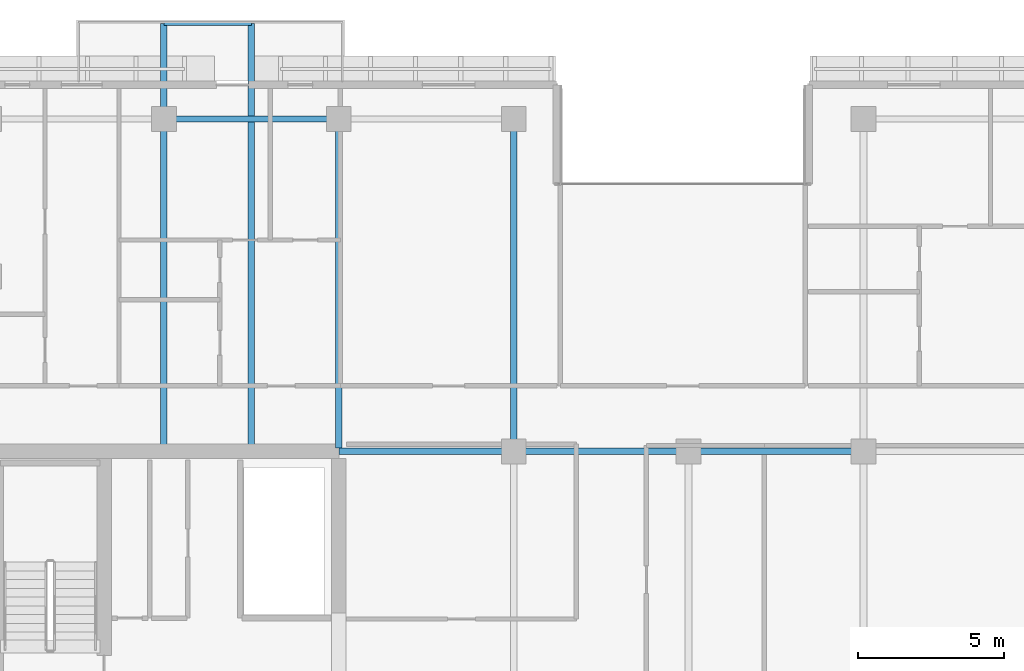
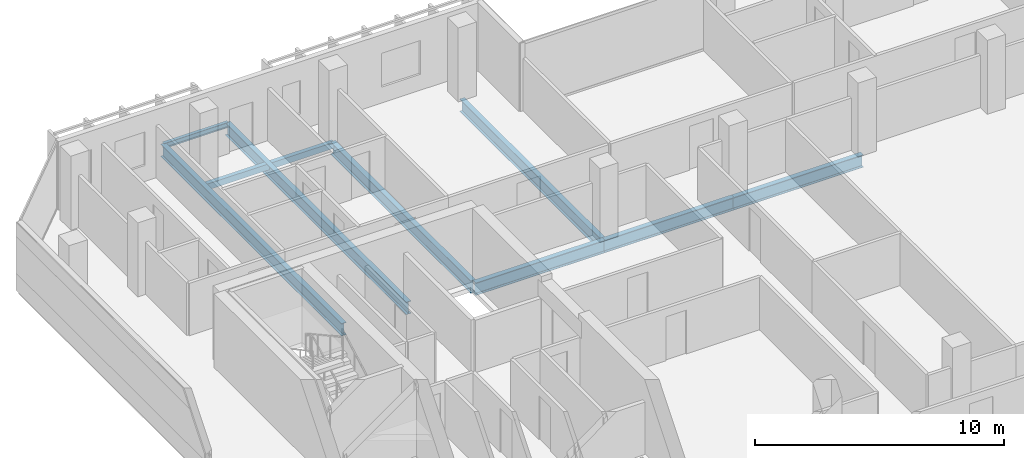
# One storey, part 9 of 31: 9 beams.
"""IFC4 building model written with IfcOpenShell, lengths in metres."""

import ifcopenshell
import ifcopenshell.guid

model = None  # the IFC model being written
_history = None  # IfcOwnerHistory: only IFC2X3 demands one
_inside = {}  # id of a spatial element -> (the spatial element, [elements in it])
_under = {}  # id of a project, library or spatial element -> (it, [spatial elements below it])
_declared = {}  # id of a project -> (the project, [libraries it declares])
_typed = {}  # id of a type object -> (the type object, [elements of that type])
_made_of = {}  # id of a material, layer set ... -> (it, [elements and type objects made of it])


def new_model(schema):
    """Start an empty IFC model of exactly this schema.

    Asked for "IFC4X3", IfcOpenShell would pick the latest addendum, in which some entities
    have other attributes; the version numbers below select the first issue.
    IFC2X3 requires an IfcOwnerHistory on every rooted entity: one is made here for all.
    """
    global model, _history
    if schema == "IFC4X3":
        model = ifcopenshell.file(schema_version=(4, 3, 0, 0))
    else:
        model = ifcopenshell.file(schema=schema)
    _inside.clear()
    _under.clear()
    _declared.clear()
    _typed.clear()
    _made_of.clear()
    _history = None
    if model.schema == "IFC2X3":
        org = make("IfcOrganization", Name="unknown")
        user = make(
            "IfcPersonAndOrganization",
            ThePerson=make("IfcPerson", FamilyName="unknown"),
            TheOrganization=org,
        )
        app = make(
            "IfcApplication",
            ApplicationDeveloper=org,
            Version="unknown",
            ApplicationFullName="unknown",
            ApplicationIdentifier="unknown",
        )
        _history = make(
            "IfcOwnerHistory",
            OwningUser=user,
            OwningApplication=app,
            ChangeAction="ADDED",
            CreationDate=0,
        )
    return model


def make(cls, **values):
    """One entity of the class cls with the attributes given. An attribute that is None is left unset."""
    return model.create_entity(
        cls, **{name: value for name, value in values.items() if value is not None}
    )


def rooted(cls, **values):
    """An entity with a GlobalId (a new one), such as an element, a storey or a relation."""
    return make(cls, GlobalId=ifcopenshell.guid.new(), OwnerHistory=_history, **values)


def si_unit(unit_type, name, prefix=None):
    """IfcSIUnit, for example si_unit("LENGTHUNIT", "METRE", prefix="MILLI")."""
    return make("IfcSIUnit", UnitType=unit_type, Prefix=prefix, Name=name)


def assignment(units):
    """IfcUnitAssignment: the units of a project."""
    return None if units is None else make("IfcUnitAssignment", Units=units)


def point(xyz):
    """IfcCartesianPoint."""
    return None if xyz is None else make("IfcCartesianPoint", Coordinates=xyz)


def direction(xyz):
    """IfcDirection."""
    return None if xyz is None else make("IfcDirection", DirectionRatios=xyz)


def frame(location, z_axis=None, x_axis=None):
    """IfcAxis2Placement3D, a coordinate frame: its origin and axes. An axis left out is left unset."""
    return make(
        "IfcAxis2Placement3D",
        Location=point(location),
        Axis=direction(z_axis),
        RefDirection=direction(x_axis),
    )


def frame_2d(location, x_axis=None):
    """IfcAxis2Placement2D, a coordinate frame in the plane: its origin and x axis."""
    return make(
        "IfcAxis2Placement2D", Location=point(location), RefDirection=direction(x_axis)
    )


def origin():
    """The frame at (0, 0, 0) with its axes left unset."""
    return frame((0.0, 0.0, 0.0))


def origin_2d():
    """The frame at (0, 0) in the plane with its x axis left unset."""
    return frame_2d((0.0, 0.0))


def place(relative_to, where):
    """IfcLocalPlacement: puts the frame where relative to a parent placement (None: the world)."""
    return make(
        "IfcLocalPlacement", PlacementRelTo=relative_to, RelativePlacement=where
    )


def context(
    kind, dimensions, precision=None, world=None, true_north=None, identifier=None
):
    """IfcGeometricRepresentationContext, for example the 3D "Model" context."""
    return make(
        "IfcGeometricRepresentationContext",
        ContextIdentifier=identifier,
        ContextType=kind,
        CoordinateSpaceDimension=dimensions,
        Precision=precision,
        WorldCoordinateSystem=world,
        TrueNorth=true_north,
    )


def subcontext(parent, identifier, kind, view, scale=None):
    """IfcGeometricRepresentationSubContext, for example "Body" below "Model"."""
    return make(
        "IfcGeometricRepresentationSubContext",
        ContextIdentifier=identifier,
        ContextType=kind,
        ParentContext=parent,
        TargetScale=scale,
        TargetView=view,
    )


def project(units=None, contexts=None):
    """IfcProject with its units and contexts."""
    return rooted(
        "IfcProject",
        Name="project",
        RepresentationContexts=contexts,
        UnitsInContext=assignment(units),
    )


def spatial(cls, under=None, at=None, **own):
    """A site, building, storey or space (cls), placed at a placement, below another one or the project."""
    s = rooted(cls, ObjectPlacement=at, **own)
    if under is not None:
        _under.setdefault(under.id(), (under, []))[1].append(s)
    return s


def profile(cls, at=None, kind="AREA", **sizes):
    """A parametric profile (cls). Its sizes go by their IFC names, for example OverallWidth=200.0."""
    return make(cls, ProfileType=kind, Position=at, **sizes)


def hollow_rectangle(**sizes):
    """IfcRectangleHollowProfileDef."""
    return profile("IfcRectangleHollowProfileDef", **sizes)


def i_section(**sizes):
    """IfcIShapeProfileDef."""
    return profile("IfcIShapeProfileDef", **sizes)


def extrude(swept, where, along, depth):
    """IfcExtrudedAreaSolid: the profile swept, set in the frame where, extruded along a direction by depth."""
    return make(
        "IfcExtrudedAreaSolid",
        SweptArea=swept,
        Position=where,
        ExtrudedDirection=direction(along),
        Depth=depth,
    )


def shape(context_of_items, identifier, shape_type, items):
    """IfcShapeRepresentation: the items that make up one representation, for example the "Body"."""
    return make(
        "IfcShapeRepresentation",
        ContextOfItems=context_of_items,
        RepresentationIdentifier=identifier,
        RepresentationType=shape_type,
        Items=items,
    )


def material(Name=None, Category=None):
    """IfcMaterial."""
    return make("IfcMaterial", Name=Name, Category=Category)


def material_profile(
    of_material, cross_section, Name=None, Category=None, Priority=None
):
    """IfcMaterialProfile: a cross section and its material."""
    return make(
        "IfcMaterialProfile",
        Name=Name,
        Material=of_material,
        Profile=cross_section,
        Priority=Priority,
        Category=Category,
    )


def profile_set(profiles, Name=None, composite=None):
    """IfcMaterialProfileSet."""
    return make(
        "IfcMaterialProfileSet",
        Name=Name,
        MaterialProfiles=profiles,
        CompositeProfile=composite,
    )


def made_of(thing, what):
    """Note that an element or type object is made of a material, layer set ...; save() writes the relation."""
    if what is not None:
        _made_of.setdefault(what.id(), (what, []))[1].append(thing)
    return thing


def type_object(cls, material=None, **own):
    """A type object (cls), such as IfcWallType, which elements share."""
    return made_of(rooted(cls, **own), material)


def element(
    cls,
    number,
    at=None,
    inside=None,
    cuts=None,
    type_object=None,
    material=None,
    context=None,
    identifier="Body",
    shape_type=None,
    held_by="IfcProductDefinitionShape",
    body=None,
    shapes=None,
    **own,
):
    """One element of the class cls, such as IfcWall. Its Tag is "e" and its number.

    at: its placement. inside: the storey or other place that contains it. cuts: it is an
    opening in that element (IfcRelVoidsElement). A single representation is given by context,
    identifier, shape_type and body (its items); several are given by shapes. held_by: the class
    of the entity that holds the representations. save() writes the other relations.
    """
    e = rooted(cls, Tag="e%d" % number, ObjectPlacement=at, **own)
    if body is not None:
        shapes = [shape(context, identifier, shape_type, body)]
    if shapes is not None:
        e.Representation = make(held_by, Representations=shapes)
    if inside is not None:
        _inside.setdefault(inside.id(), (inside, []))[1].append(e)
    if cuts is not None:
        rooted(
            "IfcRelVoidsElement", RelatingBuildingElement=cuts, RelatedOpeningElement=e
        )
    if type_object is not None:
        _typed.setdefault(type_object.id(), (type_object, []))[1].append(e)
    return made_of(e, material)


def aggregate(whole, parts):
    """IfcRelAggregates: a whole, such as a stair, and the parts it consists of."""
    return rooted("IfcRelAggregates", RelatingObject=whole, RelatedObjects=parts)


def save(model, path):
    """Write the relations noted so far, then the file.

    IfcRelAggregates (storeys below a building ...), IfcRelContainedInSpatialStructure (elements
    in a storey), IfcRelDefinesByType, IfcRelAssociatesMaterial and IfcRelDeclares: one each for
    every whole, place, type object, material and project.
    """
    for whole, parts in _under.values():
        aggregate(whole, parts)
    for where, things in _inside.values():
        rooted(
            "IfcRelContainedInSpatialStructure",
            RelatedElements=things,
            RelatingStructure=where,
        )
    for kind, things in _typed.values():
        rooted("IfcRelDefinesByType", RelatedObjects=things, RelatingType=kind)
    for what, things in _made_of.values():
        rooted("IfcRelAssociatesMaterial", RelatedObjects=things, RelatingMaterial=what)
    for by, libraries in _declared.values():
        rooted("IfcRelDeclares", RelatingContext=by, RelatedDefinitions=libraries)
    model.write(path)


model = new_model("IFC4")

# Units and contexts
model_context = context("Model", 3, precision=1e-05, world=origin(), true_north=direction((0.0, 1.0)))
body_context = subcontext(model_context, "Body", "Model", "MODEL_VIEW")
ifc_project = project(units=[si_unit("LENGTHUNIT", "METRE"), si_unit("AREAUNIT", "SQUARE_METRE"), si_unit("VOLUMEUNIT", "CUBIC_METRE"), si_unit("PLANEANGLEUNIT", "RADIAN"), si_unit("MASSUNIT", "GRAM", prefix="KILO")], contexts=[model_context])

# Site, building, storey
site_placement = place(None, origin())
site = spatial("IfcSite", under=ifc_project, at=site_placement, CompositionType="ELEMENT")
building_placement = place(site_placement, origin())
building = spatial("IfcBuilding", under=site, at=building_placement, Name="Tanjung Sevakor Pilgrim Tower", CompositionType="ELEMENT")
storey_placement = place(building_placement, frame((0.0, 0.0, 169.2900390625)))
storey = spatial("IfcBuildingStorey", under=building, at=storey_placement, Name="L47", CompositionType="ELEMENT", Elevation=169.2900390625)

# Beams
ifc_material_1 = material(Name="Steel S355J2", Category="steel")
ifc_material_profile_1 = material_profile(ifc_material_1, i_section(OverallWidth=0.230224609375, OverallDepth=0.6171875, WebThickness=0.01318359375, FlangeThickness=0.022216796875, FilletRadius=0.0126953125, at=origin_2d()))
ifc_profile_set_1 = profile_set([ifc_material_profile_1], Name="Steel S355J2")
beam_type_1 = type_object("IfcBeamType", Name="BM-B-G3-UB_610x229x140", PredefinedType="BEAM", material=ifc_profile_set_1)
for number, where, z_axis, x_axis, name in (
    (1, (36.0, 42.60009765625, -0.528564453125), (1.0, 0.0, 0.0), (0.0, 1.0, 0.0), "L47 Primary Floor Girder MAIN Y426-01"),
    (2, (42.0, 42.60009765625, -0.528564453125), (1.0, 0.0, 0.0), (0.0, 1.0, 0.0), "L47 Primary Floor Girder MAIN Y426-02"),
    (3, (48.0, 42.60009765625, -0.528564453125), (1.0, 0.0, 0.0), (0.0, 1.0, 0.0), "L47 Primary Floor Girder MAIN Y426-03"),
):
    element("IfcBeam", number, at=place(storey_placement, frame(where, z_axis=z_axis, x_axis=x_axis)), inside=storey, type_object=beam_type_1, Name=name, PredefinedType="BEAM", context=body_context, shape_type="SweptSolid", body=[
        extrude(i_section(OverallWidth=0.230224609375, OverallDepth=0.6171875, WebThickness=0.01318359375, FlangeThickness=0.022216796875, FilletRadius=0.0126953125, at=origin_2d()), origin(), (0.0, 0.0, 1.0), 6.0),
    ])
ifc_material_2 = material(Name="Steel S355J2", Category="steel")
ifc_material_profile_2 = material_profile(ifc_material_2, i_section(OverallWidth=0.22900390625, OverallDepth=0.6123046875, WebThickness=0.011962890625, FlangeThickness=0.01953125, FilletRadius=0.0126953125, at=origin_2d()))
ifc_profile_set_2 = profile_set([ifc_material_profile_2], Name="Steel S355J2")
beam_type_2 = type_object("IfcBeamType", Name="BM-B-G4-UB_610x229x125", PredefinedType="BEAM", material=ifc_profile_set_2)
for number, where, z_axis, x_axis, name in (
    (4, (30.0, 42.715087890625, -0.526123046875), (0.0, 1.0, 0.0), (-1.0, 0.0, 0.0), "L47 Balcony Cantilever Beam MAIN-N1-1"),
    (5, (33.0, 42.715087890625, -0.526123046875), (0.0, 1.0, 0.0), (-1.0, 0.0, 0.0), "L47 Balcony Cantilever Beam MAIN-N1-2"),
):
    element("IfcBeam", number, at=place(storey_placement, frame(where, z_axis=z_axis, x_axis=x_axis)), inside=storey, type_object=beam_type_2, Name=name, PredefinedType="BEAM", context=body_context, shape_type="SweptSolid", body=[
        extrude(i_section(OverallWidth=0.22900390625, OverallDepth=0.6123046875, WebThickness=0.011962890625, FlangeThickness=0.01953125, FilletRadius=0.0126953125, at=origin_2d()), origin(), (0.0, 0.0, 1.0), 14.56494140625),
    ])
beam_1_placement = place(storey_placement, frame((36.0, 42.715087890625, -0.526123046875), z_axis=(0.0, 1.0, 0.0), x_axis=(-1.0, 0.0, 0.0)))
element("IfcBeam", 6, at=beam_1_placement, inside=storey, type_object=beam_type_2, Name="L47 MAIN Girder 004", PredefinedType="BEAM", context=body_context, shape_type="SweptSolid", body=[
    extrude(i_section(OverallWidth=0.22900390625, OverallDepth=0.6123046875, WebThickness=0.011962890625, FlangeThickness=0.01953125, FilletRadius=0.0126953125, at=origin_2d()), origin(), (0.0, 0.0, 1.0), 11.284912109375),
])
beam_2_placement = place(storey_placement, frame((42.0, 42.60009765625, -0.526123046875), z_axis=(0.0, 1.0, 0.0), x_axis=(-1.0, 0.0, 0.0)))
element("IfcBeam", 7, at=beam_2_placement, inside=storey, type_object=beam_type_2, Name="L47 MAIN Girder 007", PredefinedType="BEAM", context=body_context, shape_type="SweptSolid", body=[
    extrude(i_section(OverallWidth=0.22900390625, OverallDepth=0.6123046875, WebThickness=0.011962890625, FlangeThickness=0.01953125, FilletRadius=0.0126953125, at=origin_2d()), origin(), (0.0, 0.0, 1.0), 11.39990234375),
])
ifc_material_3 = material(Name="Steel S355J2", Category="steel")
ifc_material_profile_3 = material_profile(ifc_material_3, i_section(OverallWidth=0.146484375, OverallDepth=0.256103515625, WebThickness=0.00634765625, FlangeThickness=0.010986328125, FilletRadius=0.007568359375, at=origin_2d()))
ifc_profile_set_3 = profile_set([ifc_material_profile_3], Name="Steel S355J2")
beam_type_3 = type_object("IfcBeamType", Name="BM-B-J6-UB_254x146x37", PredefinedType="JOIST", material=ifc_profile_set_3)
beam_3_placement = place(storey_placement, frame((30.0, 57.280029296875, -0.328125), z_axis=(1.0, 0.0, 0.0), x_axis=(0.0, 1.0, 0.0)))
element("IfcBeam", 8, at=beam_3_placement, inside=storey, type_object=beam_type_3, Name="L47 Balcony Rim Tie MAIN-N1", PredefinedType="JOIST", context=body_context, shape_type="SweptSolid", body=[
    extrude(i_section(OverallWidth=0.146484375, OverallDepth=0.256103515625, WebThickness=0.00634765625, FlangeThickness=0.010986328125, FilletRadius=0.007568359375, at=origin_2d()), origin(), (0.0, 0.0, 1.0), 3.0),
])
ifc_material_4 = material(Name="Steel S355J2", Category="steel")
ifc_material_profile_4 = material_profile(ifc_material_4, hollow_rectangle(XDim=0.199951171875, YDim=0.300048828125, WallThickness=0.012451171875, at=origin_2d()))
ifc_profile_set_4 = profile_set([ifc_material_profile_4], Name="Steel S355J2")
beam_type_4 = type_object("IfcBeamType", Name="BM-B-SP3-RHS_300x200x12.5", PredefinedType="SPANDREL", material=ifc_profile_set_4)
beam_4_placement = place(storey_placement, frame((30.0, 54.0, -0.3701171875), z_axis=(1.0, 0.0, 0.0), x_axis=(0.0, 1.0, 0.0)))
element("IfcBeam", 9, at=beam_4_placement, inside=storey, type_object=beam_type_4, Name="L47 Spandrel MAIN N-04", PredefinedType="SPANDREL", context=body_context, shape_type="SweptSolid", body=[
    extrude(hollow_rectangle(XDim=0.199951171875, YDim=0.300048828125, WallThickness=0.012451171875, at=origin_2d()), origin(), (0.0, 0.0, 1.0), 6.0),
])

save(model, "model.ifc")
